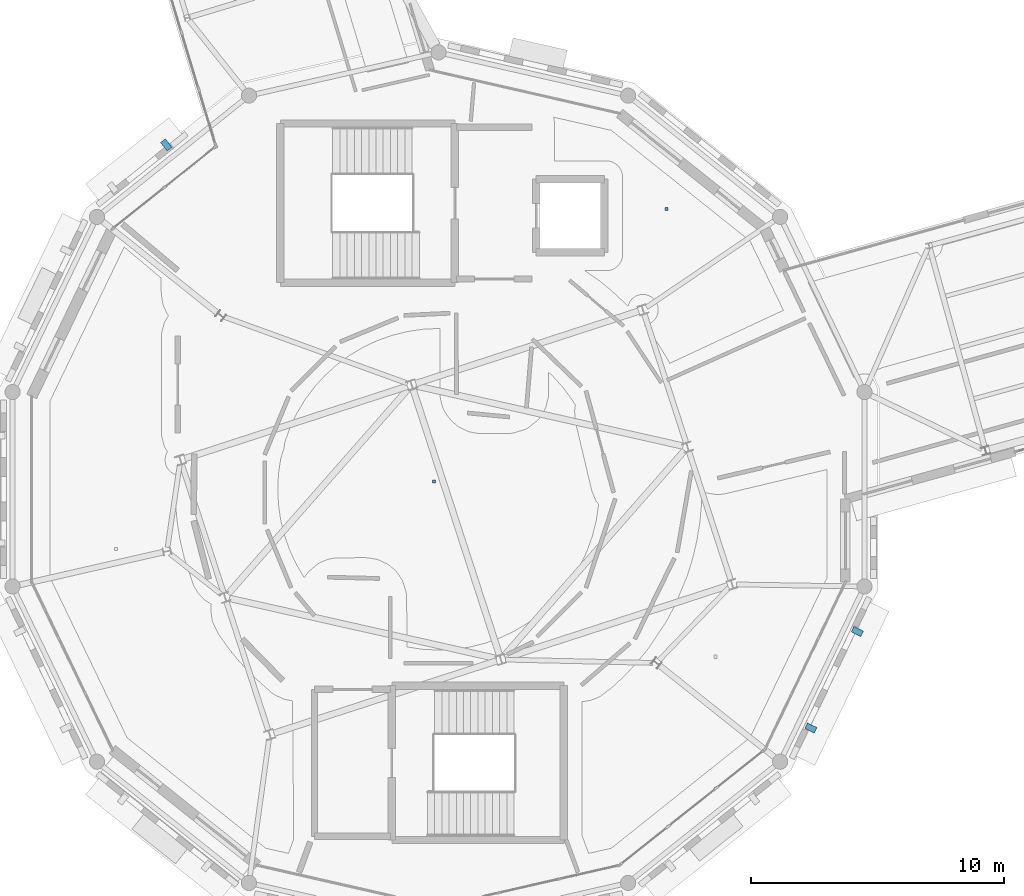
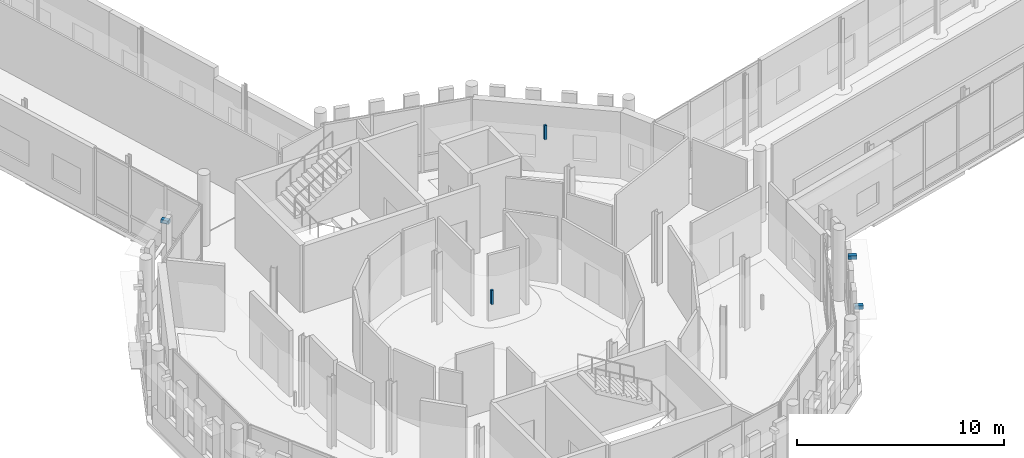
# One storey, part 106 of 125: 5 discrete accessories.
"""IFC4 building model written with IfcOpenShell, lengths in metres."""

from ifc_helpers import new_model, si_unit, direction, frame, origin, origin_2d, place, context, subcontext, project, spatial, rectangle, extrude, material, type_object, element, save


model = new_model("IFC4")

# Units and contexts
model_context = context("Model", 3, precision=1e-05, world=origin(), true_north=direction((0.0, 1.0)))
body_context = subcontext(model_context, "Body", "Model", "MODEL_VIEW")
ifc_project = project(units=[si_unit("LENGTHUNIT", "METRE"), si_unit("AREAUNIT", "SQUARE_METRE"), si_unit("VOLUMEUNIT", "CUBIC_METRE"), si_unit("PLANEANGLEUNIT", "RADIAN"), si_unit("MASSUNIT", "GRAM", prefix="KILO")], contexts=[model_context])

# Site, building, storey
site_placement = place(None, origin())
site = spatial("IfcSite", under=ifc_project, at=site_placement, CompositionType="ELEMENT")
building_placement = place(site_placement, origin())
building = spatial("IfcBuilding", under=site, at=building_placement, Name="Wrenclough Park School", CompositionType="ELEMENT")
storey_placement = place(building_placement, frame((0.0, 0.0, 4.199951171875)))
storey = spatial("IfcBuildingStorey", under=building, at=storey_placement, Name="L01", CompositionType="ELEMENT", Elevation=4.199951171875)

# Discrete accessories
ifc_material_1 = material(Name="Austenitic stainless steel Grade 1.4401", Category="steel")
discrete_accessory_type_1 = type_object("IfcDiscreteAccessoryType", Name="ENV-BRK-01", PredefinedType="BRACKET", material=ifc_material_1)
for number, where, z_axis, x_axis, name in (
    (1, (25.749755859375, 37.097900390625, 3.5400390625), (0.0, 0.0, 1.0), (-0.781833401174, -0.623487395869, 0.0), "Brise-soleil stainless outrigger bracket 0021"),
    (2, (51.2001953125, 14.074951171875, 3.5400390625), (0.0, 0.0, 1.0), (0.4338710819, 0.900974963188, 0.0), "Brise-soleil stainless outrigger bracket 0037"),
    (3, (53.03466796875, 17.884521484375, 3.5400390625), (0.0, 0.0, 1.0), (0.4338710819, 0.900974963188, 0.0), "Brise-soleil stainless outrigger bracket 0038"),
):
    element("IfcDiscreteAccessory", number, at=place(storey_placement, frame(where, z_axis=z_axis, x_axis=x_axis)), inside=storey, type_object=discrete_accessory_type_1, Name=name, PredefinedType="BRACKET", context=body_context, shape_type="SweptSolid", body=[
        extrude(rectangle(XDim=0.239990234375, YDim=0.419921875, at=origin_2d()), origin(), (0.0, 0.0, 1.0), 0.199951171875),
    ])
ifc_material_2 = material(Name="Galvanised steel acoustic ceiling suspension hanger", Category="steel")
discrete_accessory_type_2 = type_object("IfcDiscreteAccessoryType", Name="INT-BRK-HGR", PredefinedType="BRACKET", material=ifc_material_2)
for number, where, z_axis, x_axis, name in (
    (4, (45.495361328125, 34.563232421875, 3.090087890625), (0.0, 0.0, 1.0), (1.0, 0.0, 0.0), "Acoustic ceiling hanger bracket 0025"),
    (5, (36.314453125, 23.81103515625, 3.090087890625), (0.0, 0.0, 1.0), (1.0, 0.0, 0.0), "Acoustic ceiling hanger bracket 0026"),
):
    element("IfcDiscreteAccessory", number, at=place(storey_placement, frame(where, z_axis=z_axis, x_axis=x_axis)), inside=storey, type_object=discrete_accessory_type_2, Name=name, PredefinedType="BRACKET", context=body_context, shape_type="SweptSolid", body=[
        extrude(rectangle(XDim=0.1201171875, YDim=0.1201171875, at=origin_2d()), origin(), (0.0, 0.0, 1.0), 0.8349609375),
    ])

save(model, "model.ifc")
